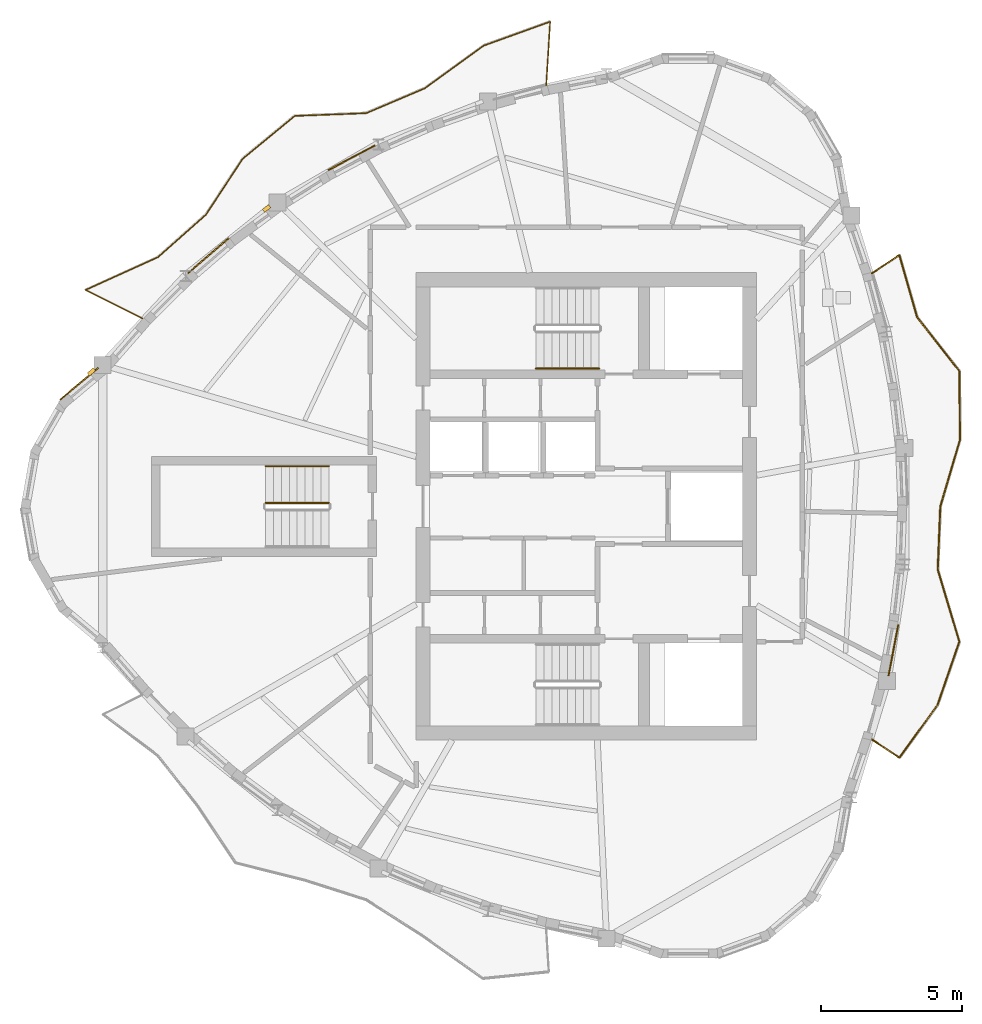
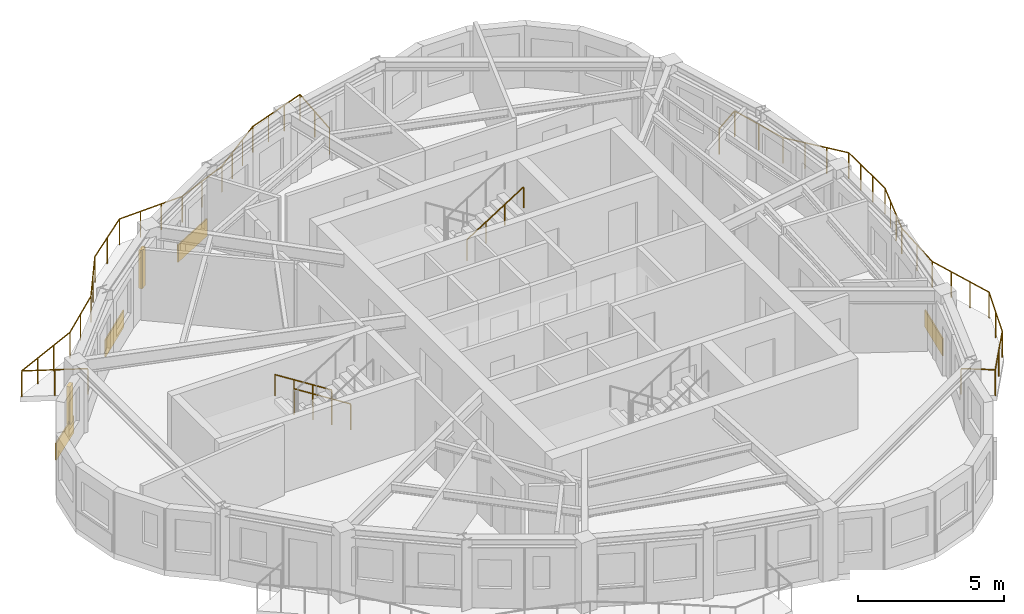
# One storey, part 9 of 11: 5 railings, 4 coverings, 2 shading devices.
"""IFC4 building model written with IfcOpenShell, lengths in metres."""

from ifc_helpers import new_model, si_unit, direction, frame, origin, origin_2d, place, context, subcontext, project, spatial, rectangle, circle, extrude, source, transform, mapped, material, layer, layer_set, type_object, element, save


model = new_model("IFC4")

# Units and contexts
model_context = context("Model", 3, precision=1e-05, world=origin(), true_north=direction((0.0, 1.0)))
body_context = subcontext(model_context, "Body", "Model", "MODEL_VIEW")
ifc_project = project(units=[si_unit("LENGTHUNIT", "METRE"), si_unit("AREAUNIT", "SQUARE_METRE"), si_unit("VOLUMEUNIT", "CUBIC_METRE"), si_unit("PLANEANGLEUNIT", "RADIAN"), si_unit("MASSUNIT", "GRAM", prefix="KILO")], contexts=[model_context])

# Site, building, storey
site_placement = place(None, origin())
site = spatial("IfcSite", under=ifc_project, at=site_placement, CompositionType="ELEMENT")
building_placement = place(site_placement, origin())
building = spatial("IfcBuilding", under=site, at=building_placement, Name="Qafzar Sky-Pleat Residences", CompositionType="ELEMENT")
storey_placement = place(building_placement, frame((0.0, 0.0, 246.800048828125)))
storey = spatial("IfcBuildingStorey", under=building, at=storey_placement, Name="L74", CompositionType="ELEMENT", Elevation=246.800048828125)

# Shading devices
ifc_material_1 = material(Name="Honed Riyadh limestone solar fin", Category="masonry")
ifc_layer_1 = layer(ifc_material_1, 0.139892578125)
ifc_layer_set_1 = layer_set([ifc_layer_1], Name="Honed Riyadh limestone solar fin")
shading_device_type = type_object("IfcShadingDeviceType", Name="SHD-FIN-STONE", PredefinedType="SHUTTER", material=ifc_layer_set_1)
shared_shape_1 = source(origin(), body_context, "Body", "SweptSolid", [
    extrude(rectangle(XDim=0.139892578125, YDim=0.280029296875, at=origin_2d()), origin(), (0.0, 0.0, 1.0), 1.60009765625),
])
for number, where, z_axis, x_axis, name in (
    (1, (12.77001953125, 30.7763671875, 0.599853515625), (0.0, 0.0, 1.0), (-0.642754210861, 0.76607246682, 0.0), "L74 Limestone Solar Fin 1"),
    (2, (18.992431640625, 36.58154296875, 0.599853515625), (0.0, 0.0, 1.0), (-0.594858533084, 0.803830408492, 0.0), "L74 Limestone Solar Fin 45"),
):
    element("IfcShadingDevice", number, at=place(storey_placement, frame(where, z_axis=z_axis, x_axis=x_axis)), inside=storey, type_object=shading_device_type, Name=name, PredefinedType="SHUTTER", context=body_context, shape_type="MappedRepresentation", body=[
        mapped(shared_shape_1, transform((0.0, 0.0, 0.0), x_axis=(1.0, 0.0, 0.0), y_axis=(0.0, 1.0, 0.0), z_axis=(0.0, 0.0, 1.0), scale=1.0)),
    ])

# Covering
ifc_material_2 = material(Name="Honed Riyadh Tuwaiq limestone cladding", Category="masonry")
ifc_layer_2 = layer(ifc_material_2, 0.044921875)
ifc_layer_set_2 = layer_set([ifc_layer_2], Name="Honed Riyadh Tuwaiq limestone cladding")
covering_type = type_object("IfcCoveringType", Name="COV-CLAD-STONE", PredefinedType="CLADDING", material=ifc_layer_set_2)
shared_shape_2 = source(origin(), body_context, "Body", "SweptSolid", [
    extrude(rectangle(XDim=1.76611328125, YDim=0.044921875, at=origin_2d()), origin(), (0.0, 0.0, 1.0), 0.719970703125),
])
covering_1_placement = place(storey_placement, frame((12.330322265625, 30.351318359375, 0.02001953125), z_axis=(0.0, 0.0, 1.0), x_axis=(-0.76607417096, -0.642752179762, 0.0)))
element("IfcCovering", 3, at=covering_1_placement, inside=storey, type_object=covering_type, Name="L74 Riyadh Limestone Spandrel Cladding 1", PredefinedType="CLADDING", context=body_context, shape_type="MappedRepresentation", body=[
    mapped(shared_shape_2, transform((0.0, 0.0, 0.0), x_axis=(1.0, 0.0, 0.0), y_axis=(0.0, 1.0, 0.0), z_axis=(0.0, 0.0, 1.0), scale=1.0)),
])

# Railings
ifc_material_3 = material(Name="Laminated glass and bronze steel balustrade", Category="steel")
railing_type_1 = type_object("IfcRailingType", Name="RAIL-BAL-1100", PredefinedType="BALUSTRADE", material=ifc_material_3)
shared_shape_3 = source(origin(), body_context, "Body", "SweptSolid", [
    extrude(circle(Radius=0.02392578125, at=origin_2d()), frame((0.0, 0.0, 1.076171875), z_axis=(0.833450721397, -0.552593788422, 0.0), x_axis=(0.552593788422, 0.833450721397, 0.0)), (0.0, 0.0, 1.0), 1.177978515625),
    extrude(circle(Radius=0.02392578125, at=origin_2d()), frame((0.981689453125, -0.65087890625, 1.076171875), z_axis=(0.586856651155, 0.809690849025, 0.0), x_axis=(-0.809690849025, 0.586856651155, 0.0)), (0.0, 0.0, 1.0), 2.308349609375),
    extrude(circle(Radius=0.02392578125, at=origin_2d()), frame((2.33642578125, 1.21826171875, 1.076171875), z_axis=(0.326575214364, 0.945171216957, 0.0), x_axis=(-0.945171216957, 0.326575214364, 0.0)), (0.0, 0.0, 1.0), 2.381103515625),
    extrude(circle(Radius=0.02392578125, at=origin_2d()), frame((3.114013671875, 3.46875, 1.076171875), z_axis=(-0.28765775721, 0.957733269087, 0.0), x_axis=(-0.957733269087, -0.28765775721, 0.0)), (0.0, 0.0, 1.0), 2.67431640625),
    extrude(circle(Radius=0.02392578125, at=origin_2d()), frame((2.3447265625, 6.030029296875, 1.076171875), z_axis=(0.040957231652, 0.999160900544, 0.0), x_axis=(-0.999160900544, 0.040957231652, 0.0)), (0.0, 0.0, 1.0), 2.247314453125),
    extrude(circle(Radius=0.02392578125, at=origin_2d()), frame((2.436767578125, 8.275390625, 1.076171875), z_axis=(0.283430981813, 0.95899263738, 0.0), x_axis=(-0.95899263738, 0.283430981813, 0.0)), (0.0, 0.0, 1.0), 2.466064453125),
    extrude(circle(Radius=0.02392578125, at=origin_2d()), frame((3.1357421875, 10.640380859375, 1.076171875), z_axis=(-0.008898757731, 0.999960405272, 0.0), x_axis=(-0.999960405272, -0.008898757731, 0.0)), (0.0, 0.0, 1.0), 2.441650390625),
    extrude(circle(Radius=0.02392578125, at=origin_2d()), frame((3.114013671875, 13.08203125, 1.076171875), z_axis=(-0.618279283458, 0.78595847705, 0.0), x_axis=(-0.78595847705, -0.618279283458, 0.0)), (0.0, 0.0, 1.0), 2.42578125),
    extrude(circle(Radius=0.02392578125, at=origin_2d()), frame((1.6142578125, 14.988525390625, 1.076171875), z_axis=(-0.274819188266, 0.961495924984, 0.0), x_axis=(-0.961495924984, -0.274819188266, 0.0)), (0.0, 0.0, 1.0), 2.3017578125),
    extrude(circle(Radius=0.02392578125, at=origin_2d()), frame((0.981689453125, 17.20166015625, 1.076171875), z_axis=(-0.833450721397, -0.552593788422, 0.0), x_axis=(0.552593788422, -0.833450721397, 0.0)), (0.0, 0.0, 1.0), 1.177978515625),
    extrude(circle(Radius=0.02099609375, at=origin_2d()), origin(), (0.0, 0.0, 1.0), 1.052001953125),
    extrude(circle(Radius=0.02099609375, at=origin_2d()), frame((0.981689453125, -0.65087890625, 0.0)), (0.0, 0.0, 1.0), 1.052001953125),
    extrude(circle(Radius=0.02099609375, at=origin_2d()), frame((1.6591796875, 0.28369140625, 0.0)), (0.0, 0.0, 1.0), 1.052001953125),
    extrude(circle(Radius=0.02099609375, at=origin_2d()), frame((2.33642578125, 1.21826171875, 0.0)), (0.0, 0.0, 1.0), 1.052001953125),
    extrude(circle(Radius=0.02099609375, at=origin_2d()), frame((2.72509765625, 2.343505859375, 0.0)), (0.0, 0.0, 1.0), 1.052001953125),
    extrude(circle(Radius=0.02099609375, at=origin_2d()), frame((3.114013671875, 3.46875, 0.0)), (0.0, 0.0, 1.0), 1.052001953125),
    extrude(circle(Radius=0.02099609375, at=origin_2d()), frame((2.857666015625, 4.322509765625, 0.0)), (0.0, 0.0, 1.0), 1.052001953125),
    extrude(circle(Radius=0.02099609375, at=origin_2d()), frame((2.60107421875, 5.17626953125, 0.0)), (0.0, 0.0, 1.0), 1.052001953125),
    extrude(circle(Radius=0.02099609375, at=origin_2d()), frame((2.3447265625, 6.030029296875, 0.0)), (0.0, 0.0, 1.0), 1.052001953125),
    extrude(circle(Radius=0.02099609375, at=origin_2d()), frame((2.390625, 7.15283203125, 0.0)), (0.0, 0.0, 1.0), 1.052001953125),
    extrude(circle(Radius=0.02099609375, at=origin_2d()), frame((2.436767578125, 8.275390625, 0.0)), (0.0, 0.0, 1.0), 1.052001953125),
    extrude(circle(Radius=0.02099609375, at=origin_2d()), frame((2.669677734375, 9.063720703125, 0.0)), (0.0, 0.0, 1.0), 1.052001953125),
    extrude(circle(Radius=0.02099609375, at=origin_2d()), frame((2.90283203125, 9.85205078125, 0.0)), (0.0, 0.0, 1.0), 1.052001953125),
    extrude(circle(Radius=0.02099609375, at=origin_2d()), frame((3.1357421875, 10.640380859375, 0.0)), (0.0, 0.0, 1.0), 1.052001953125),
    extrude(circle(Radius=0.02099609375, at=origin_2d()), frame((3.12841796875, 11.454345703125, 0.0)), (0.0, 0.0, 1.0), 1.052001953125),
    extrude(circle(Radius=0.02099609375, at=origin_2d()), frame((3.121337890625, 12.26806640625, 0.0)), (0.0, 0.0, 1.0), 1.052001953125),
    extrude(circle(Radius=0.02099609375, at=origin_2d()), frame((3.114013671875, 13.08203125, 0.0)), (0.0, 0.0, 1.0), 1.052001953125),
    extrude(circle(Radius=0.02099609375, at=origin_2d()), frame((2.614013671875, 13.717529296875, 0.0)), (0.0, 0.0, 1.0), 1.052001953125),
    extrude(circle(Radius=0.02099609375, at=origin_2d()), frame((2.1142578125, 14.35302734375, 0.0)), (0.0, 0.0, 1.0), 1.052001953125),
    extrude(circle(Radius=0.02099609375, at=origin_2d()), frame((1.6142578125, 14.988525390625, 0.0)), (0.0, 0.0, 1.0), 1.052001953125),
    extrude(circle(Radius=0.02099609375, at=origin_2d()), frame((1.2978515625, 16.09521484375, 0.0)), (0.0, 0.0, 1.0), 1.052001953125),
    extrude(circle(Radius=0.02099609375, at=origin_2d()), frame((0.981689453125, 17.20166015625, 0.0)), (0.0, 0.0, 1.0), 1.052001953125),
    extrude(circle(Radius=0.02099609375, at=origin_2d()), frame((0.0, 16.55078125, 0.0)), (0.0, 0.0, 1.0), 1.052001953125),
])
railing_1_placement = place(storey_placement, frame((40.484619140625, 17.724609375, 0.0)))
element("IfcRailing", 4, at=railing_1_placement, inside=storey, type_object=railing_type_1, Name="L74 Pleated Balcony 1 Balustrade", PredefinedType="BALUSTRADE", context=body_context, shape_type="MappedRepresentation", body=[
    mapped(shared_shape_3, transform((0.0, 0.0, 0.0), x_axis=(1.0, 0.0, 0.0), y_axis=(0.0, 1.0, 0.0), z_axis=(0.0, 0.0, 1.0), scale=1.0)),
])
shared_shape_4 = source(origin(), body_context, "Body", "SweptSolid", [
    extrude(circle(Radius=0.02392578125, at=origin_2d()), frame((0.0, 0.0, 1.076171875), z_axis=(0.061715590593, 0.998093776094, 0.0), x_axis=(-0.998093776094, 0.061715590593, 0.0)), (0.0, 0.0, 1.0), 2.270751953125),
    extrude(circle(Radius=0.02392578125, at=origin_2d()), frame((0.14013671875, 2.266357421875, 1.076171875), z_axis=(-0.940737430186, -0.339135794995, 0.0), x_axis=(0.339135794995, -0.940737430186, 0.0)), (0.0, 0.0, 1.0), 2.512451171875),
    extrude(circle(Radius=0.02392578125, at=origin_2d()), frame((-2.223388671875, 1.414306640625, 1.076171875), z_axis=(-0.809869436571, -0.586610173546, 0.0), x_axis=(0.586610173546, -0.809869436571, 0.0)), (0.0, 0.0, 1.0), 2.586181640625),
    extrude(circle(Radius=0.02392578125, at=origin_2d()), frame((-4.31787109375, -0.102783203125, 1.076171875), z_axis=(-0.920505136057, -0.390730462713, 0.0), x_axis=(0.390730462713, -0.920505136057, 0.0)), (0.0, 0.0, 1.0), 2.25634765625),
    extrude(circle(Radius=0.02392578125, at=origin_2d()), frame((-6.394775390625, -0.984375, 1.076171875), z_axis=(-0.999274607709, -0.038082258171, 0.0), x_axis=(0.038082258171, -0.999274607709, 0.0)), (0.0, 0.0, 1.0), 2.538818359375),
    extrude(circle(Radius=0.02392578125, at=origin_2d()), frame((-8.931640625, -1.0810546875, 1.076171875), z_axis=(-0.772171211019, -0.635414526804, 0.0), x_axis=(0.635414526804, -0.772171211019, 0.0)), (0.0, 0.0, 1.0), 2.3974609375),
    extrude(circle(Radius=0.02392578125, at=origin_2d()), frame((-10.782958984375, -2.6044921875, 1.076171875), z_axis=(-0.54903621046, -0.835798564012, 0.0), x_axis=(0.835798564012, -0.54903621046, 0.0)), (0.0, 0.0, 1.0), 2.372802734375),
    extrude(circle(Radius=0.02392578125, at=origin_2d()), frame((-12.085693359375, -4.587646484375, 1.076171875), z_axis=(-0.748332408445, -0.663323907658, 0.0), x_axis=(0.663323907658, -0.748332408445, 0.0)), (0.0, 0.0, 1.0), 2.274658203125),
    extrude(circle(Radius=0.02392578125, at=origin_2d()), frame((-13.787841796875, -6.096435546875, 1.076171875), z_axis=(-0.911012268258, -0.412379251519, 0.0), x_axis=(0.412379251519, -0.911012268258, 0.0)), (0.0, 0.0, 1.0), 2.83056640625),
    extrude(circle(Radius=0.02392578125, at=origin_2d()), frame((-16.366455078125, -7.263671875, 1.076171875), z_axis=(0.895221336926, -0.445621765529, 0.0), x_axis=(0.445621765529, 0.895221336926, 0.0)), (0.0, 0.0, 1.0), 2.27099609375),
    extrude(circle(Radius=0.02099609375, at=origin_2d()), origin(), (0.0, 0.0, 1.0), 1.052001953125),
    extrude(circle(Radius=0.02099609375, at=origin_2d()), frame((0.070068359375, 1.13330078125, 0.0)), (0.0, 0.0, 1.0), 1.052001953125),
    extrude(circle(Radius=0.02099609375, at=origin_2d()), frame((0.14013671875, 2.266357421875, 0.0)), (0.0, 0.0, 1.0), 1.052001953125),
    extrude(circle(Radius=0.02099609375, at=origin_2d()), frame((-0.647705078125, 1.982421875, 0.0)), (0.0, 0.0, 1.0), 1.052001953125),
    extrude(circle(Radius=0.02099609375, at=origin_2d()), frame((-1.435546875, 1.6982421875, 0.0)), (0.0, 0.0, 1.0), 1.052001953125),
    extrude(circle(Radius=0.02099609375, at=origin_2d()), frame((-2.223388671875, 1.414306640625, 0.0)), (0.0, 0.0, 1.0), 1.052001953125),
    extrude(circle(Radius=0.02099609375, at=origin_2d()), frame((-2.921630859375, 0.90869140625, 0.0)), (0.0, 0.0, 1.0), 1.052001953125),
    extrude(circle(Radius=0.02099609375, at=origin_2d()), frame((-3.61962890625, 0.40283203125, 0.0)), (0.0, 0.0, 1.0), 1.052001953125),
    extrude(circle(Radius=0.02099609375, at=origin_2d()), frame((-4.31787109375, -0.102783203125, 0.0)), (0.0, 0.0, 1.0), 1.052001953125),
    extrude(circle(Radius=0.02099609375, at=origin_2d()), frame((-5.3564453125, -0.54345703125, 0.0)), (0.0, 0.0, 1.0), 1.052001953125),
    extrude(circle(Radius=0.02099609375, at=origin_2d()), frame((-6.394775390625, -0.984375, 0.0)), (0.0, 0.0, 1.0), 1.052001953125),
    extrude(circle(Radius=0.02099609375, at=origin_2d()), frame((-7.240478515625, -1.0166015625, 0.0)), (0.0, 0.0, 1.0), 1.052001953125),
    extrude(circle(Radius=0.02099609375, at=origin_2d()), frame((-8.0859375, -1.048828125, 0.0)), (0.0, 0.0, 1.0), 1.052001953125),
    extrude(circle(Radius=0.02099609375, at=origin_2d()), frame((-8.931640625, -1.0810546875, 0.0)), (0.0, 0.0, 1.0), 1.052001953125),
    extrude(circle(Radius=0.02099609375, at=origin_2d()), frame((-9.857421875, -1.8427734375, 0.0)), (0.0, 0.0, 1.0), 1.052001953125),
    extrude(circle(Radius=0.02099609375, at=origin_2d()), frame((-10.782958984375, -2.6044921875, 0.0)), (0.0, 0.0, 1.0), 1.052001953125),
    extrude(circle(Radius=0.02099609375, at=origin_2d()), frame((-11.434326171875, -3.59619140625, 0.0)), (0.0, 0.0, 1.0), 1.052001953125),
    extrude(circle(Radius=0.02099609375, at=origin_2d()), frame((-12.085693359375, -4.587646484375, 0.0)), (0.0, 0.0, 1.0), 1.052001953125),
    extrude(circle(Radius=0.02099609375, at=origin_2d()), frame((-12.936767578125, -5.342041015625, 0.0)), (0.0, 0.0, 1.0), 1.052001953125),
    extrude(circle(Radius=0.02099609375, at=origin_2d()), frame((-13.787841796875, -6.096435546875, 0.0)), (0.0, 0.0, 1.0), 1.052001953125),
    extrude(circle(Radius=0.02099609375, at=origin_2d()), frame((-14.6474609375, -6.485595703125, 0.0)), (0.0, 0.0, 1.0), 1.052001953125),
    extrude(circle(Radius=0.02099609375, at=origin_2d()), frame((-15.5068359375, -6.87451171875, 0.0)), (0.0, 0.0, 1.0), 1.052001953125),
    extrude(circle(Radius=0.02099609375, at=origin_2d()), frame((-16.366455078125, -7.263671875, 0.0)), (0.0, 0.0, 1.0), 1.052001953125),
    extrude(circle(Radius=0.02099609375, at=origin_2d()), frame((-15.35009765625, -7.76953125, 0.0)), (0.0, 0.0, 1.0), 1.052001953125),
    extrude(circle(Radius=0.02099609375, at=origin_2d()), frame((-14.33349609375, -8.275634765625, 0.0)), (0.0, 0.0, 1.0), 1.052001953125),
])
railing_2_placement = place(storey_placement, frame((28.924560546875, 40.94970703125, 0.0)))
element("IfcRailing", 5, at=railing_2_placement, inside=storey, type_object=railing_type_1, Name="L74 Pleated Balcony 2 Balustrade", PredefinedType="BALUSTRADE", context=body_context, shape_type="MappedRepresentation", body=[
    mapped(shared_shape_4, transform((0.0, 0.0, 0.0), x_axis=(1.0, 0.0, 0.0), y_axis=(0.0, 1.0, 0.0), z_axis=(0.0, 0.0, 1.0), scale=1.0)),
])

# Coverings
shared_shape_5 = source(origin(), body_context, "Body", "SweptSolid", [
    extrude(rectangle(XDim=1.846923828125, YDim=0.044921875, at=origin_2d()), origin(), (0.0, 0.0, 1.0), 0.719970703125),
])
covering_2_placement = place(storey_placement, frame((41.25439453125, 20.890869140625, 0.02001953125), z_axis=(0.0, 0.0, 1.0), x_axis=(0.186632897237, 0.982429723527, 0.0)))
element("IfcCovering", 6, at=covering_2_placement, inside=storey, type_object=covering_type, Name="L74 Riyadh Limestone Spandrel Cladding 25", PredefinedType="CLADDING", context=body_context, shape_type="MappedRepresentation", body=[
    mapped(shared_shape_5, transform((0.0, 0.0, 0.0), x_axis=(1.0, 0.0, 0.0), y_axis=(0.0, 1.0, 0.0), z_axis=(0.0, 0.0, 1.0), scale=1.0)),
])
shared_shape_6 = source(origin(), body_context, "Body", "SweptSolid", [
    extrude(rectangle(XDim=1.878173828125, YDim=0.044921875, at=origin_2d()), origin(), (0.0, 0.0, 1.0), 0.719970703125),
])
covering_3_placement = place(storey_placement, frame((22.01318359375, 38.380615234375, 0.02001953125), z_axis=(0.0, 0.0, 1.0), x_axis=(-0.884387500281, -0.466753413856, 0.0)))
element("IfcCovering", 7, at=covering_3_placement, inside=storey, type_object=covering_type, Name="L74 Riyadh Limestone Spandrel Cladding 43", PredefinedType="CLADDING", context=body_context, shape_type="MappedRepresentation", body=[
    mapped(shared_shape_6, transform((0.0, 0.0, 0.0), x_axis=(1.0, 0.0, 0.0), y_axis=(0.0, 1.0, 0.0), z_axis=(0.0, 0.0, 1.0), scale=1.0)),
])
shared_shape_7 = source(origin(), body_context, "Body", "SweptSolid", [
    extrude(rectangle(XDim=1.909912109375, YDim=0.044921875, at=origin_2d()), origin(), (0.0, 0.0, 1.0), 0.719970703125),
])
covering_4_placement = place(storey_placement, frame((16.921630859375, 34.901123046875, 0.02001953125), z_axis=(0.0, 0.0, 1.0), x_axis=(-0.757454157709, -0.652888351075, 0.0)))
element("IfcCovering", 8, at=covering_4_placement, inside=storey, type_object=covering_type, Name="L74 Riyadh Limestone Spandrel Cladding 46", PredefinedType="CLADDING", context=body_context, shape_type="MappedRepresentation", body=[
    mapped(shared_shape_7, transform((0.0, 0.0, 0.0), x_axis=(1.0, 0.0, 0.0), y_axis=(0.0, 1.0, 0.0), z_axis=(0.0, 0.0, 1.0), scale=1.0)),
])

# Railings
ifc_material_4 = material(Name="Painted Steel S355 stair guardrail", Category="steel")
railing_type_2 = type_object("IfcRailingType", Name="RAIL-STAIR-GUARD", PredefinedType="GUARDRAIL", material=ifc_material_4)
shared_shape_8 = source(origin(), body_context, "Body", "SweptSolid", [
    extrude(circle(Radius=0.02392578125, at=origin_2d()), frame((0.0, 0.0, 1.076171875), z_axis=(-0.8442293374, 0.0, 0.53598211339), x_axis=(0.0, -1.0, 0.0)), (0.0, 0.0, 1.0), 2.6533203125),
    extrude(circle(Radius=0.02099609375, at=origin_2d()), origin(), (0.0, 0.0, 1.0), 1.052001953125),
    extrude(circle(Radius=0.02099609375, at=origin_2d()), frame((-0.74658203125, 0.0, 0.47412109375)), (0.0, 0.0, 1.0), 1.052001953125),
    extrude(circle(Radius=0.02099609375, at=origin_2d()), frame((-1.493408203125, 0.0, 0.947998046875)), (0.0, 0.0, 1.0), 1.052001953125),
    extrude(circle(Radius=0.02099609375, at=origin_2d()), frame((-2.239990234375, 0.0, 1.422119140625)), (0.0, 0.0, 1.0), 1.052001953125),
])
railing_3_placement = place(storey_placement, frame((21.199951171875, 26.125, 0.177734375)))
element("IfcRailing", 9, at=railing_3_placement, inside=storey, type_object=railing_type_2, Name="L74 ST3 stair guard 1", PredefinedType="GUARDRAIL", context=body_context, shape_type="MappedRepresentation", body=[
    mapped(shared_shape_8, transform((0.0, 0.0, 0.0), x_axis=(1.0, 0.0, 0.0), y_axis=(0.0, 1.0, 0.0), z_axis=(0.0, 0.0, 1.0), scale=1.0)),
])
ifc_material_5 = material(Name="Brushed stainless steel handrail", Category="steel")
railing_type_3 = type_object("IfcRailingType", Name="RAIL-STAIR-HAND", PredefinedType="HANDRAIL", material=ifc_material_5)
shared_shape_9 = source(origin(), body_context, "Body", "SweptSolid", [
    extrude(circle(Radius=0.02392578125, at=origin_2d()), frame((0.0, 0.0, 0.8759765625), z_axis=(-0.8442293374, 0.0, 0.53598211339), x_axis=(0.0, -1.0, 0.0)), (0.0, 0.0, 1.0), 2.6533203125),
    extrude(circle(Radius=0.02099609375, at=origin_2d()), origin(), (0.0, 0.0, 1.0), 0.851806640625),
    extrude(circle(Radius=0.02099609375, at=origin_2d()), frame((-0.74658203125, 0.0, 0.47412109375)), (0.0, 0.0, 1.0), 0.851806640625),
    extrude(circle(Radius=0.02099609375, at=origin_2d()), frame((-1.493408203125, 0.0, 0.947998046875)), (0.0, 0.0, 1.0), 0.851806640625),
    extrude(circle(Radius=0.02099609375, at=origin_2d()), frame((-2.239990234375, 0.0, 1.422119140625)), (0.0, 0.0, 1.0), 0.851806640625),
])
railing_4_placement = place(storey_placement, frame((21.199951171875, 27.425048828125, 0.177734375)))
element("IfcRailing", 10, at=railing_4_placement, inside=storey, type_object=railing_type_3, Name="L74 ST3 stair handrail 1", PredefinedType="HANDRAIL", context=body_context, shape_type="MappedRepresentation", body=[
    mapped(shared_shape_9, transform((0.0, 0.0, 0.0), x_axis=(1.0, 0.0, 0.0), y_axis=(0.0, 1.0, 0.0), z_axis=(0.0, 0.0, 1.0), scale=1.0)),
])
shared_shape_10 = source(origin(), body_context, "Body", "SweptSolid", [
    extrude(circle(Radius=0.02392578125, at=origin_2d()), frame((0.0, 0.0, 0.8759765625), z_axis=(0.8442293374, 0.0, 0.53598211339), x_axis=(0.0, 1.0, 0.0)), (0.0, 0.0, 1.0), 2.6533203125),
    extrude(circle(Radius=0.02099609375, at=origin_2d()), origin(), (0.0, 0.0, 1.0), 0.851806640625),
    extrude(circle(Radius=0.02099609375, at=origin_2d()), frame((0.74658203125, 0.0, 0.47412109375)), (0.0, 0.0, 1.0), 0.851806640625),
    extrude(circle(Radius=0.02099609375, at=origin_2d()), frame((1.493408203125, 0.0, 0.947998046875)), (0.0, 0.0, 1.0), 0.851806640625),
    extrude(circle(Radius=0.02099609375, at=origin_2d()), frame((2.239990234375, 0.0, 1.422119140625)), (0.0, 0.0, 1.0), 0.851806640625),
])
railing_5_placement = place(storey_placement, frame((28.56005859375, 30.89990234375, 1.77783203125)))
element("IfcRailing", 11, at=railing_5_placement, inside=storey, type_object=railing_type_3, Name="L74 ST2 stair handrail 2", PredefinedType="HANDRAIL", context=body_context, shape_type="MappedRepresentation", body=[
    mapped(shared_shape_10, transform((0.0, 0.0, 0.0), x_axis=(1.0, 0.0, 0.0), y_axis=(0.0, 1.0, 0.0), z_axis=(0.0, 0.0, 1.0), scale=1.0)),
])

save(model, "model.ifc")
